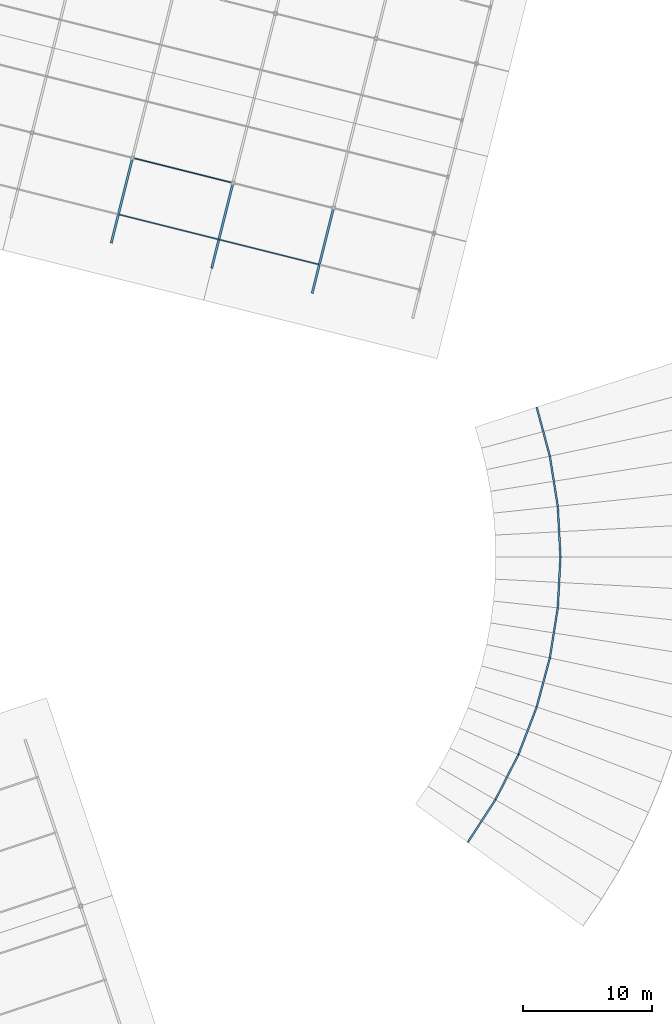
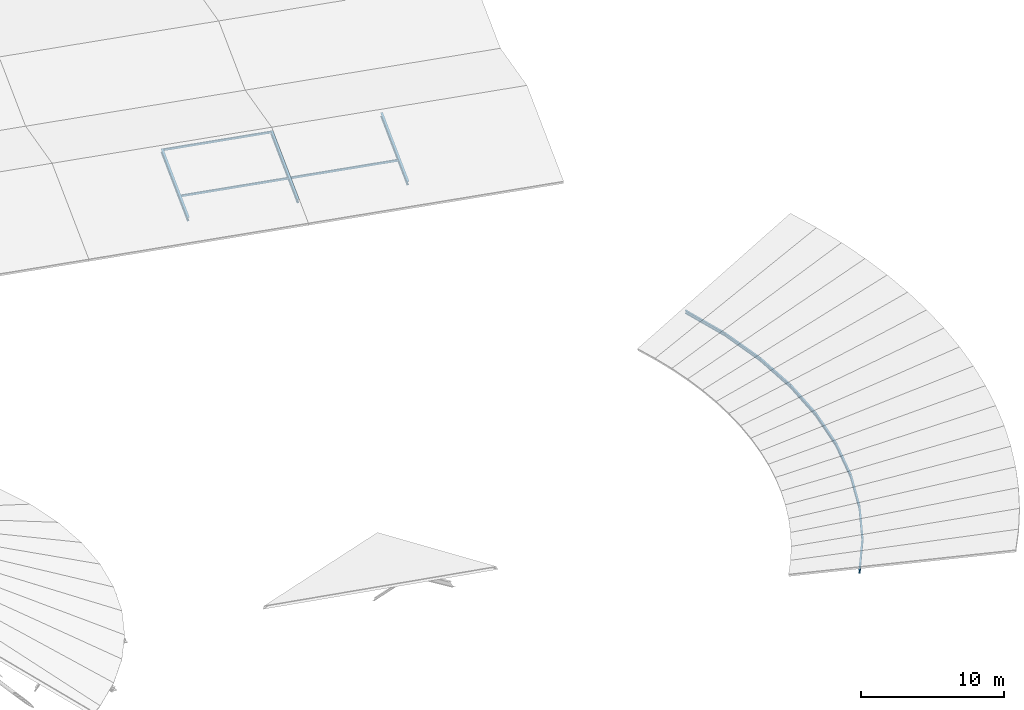
# One storey, part 61 of 107: 15 members.
"""IFC4 building model written with IfcOpenShell, lengths in metres."""

from ifc_helpers import new_model, si_unit, derived_unit, direction, frame, origin, origin_2d, place, context, subcontext, project, spatial, hollow_rectangle, i_section, extrude, material, material_profile, profile_set, type_object, element, save


model = new_model("IFC4")

# Units and contexts
model_context = context("Model", 3, precision=1e-05, world=origin(), true_north=direction((0.0, 1.0)))
body_context = subcontext(model_context, "Body", "Model", "MODEL_VIEW")
ifc_project = project(units=[si_unit("LENGTHUNIT", "METRE"), si_unit("AREAUNIT", "SQUARE_METRE"), si_unit("VOLUMEUNIT", "CUBIC_METRE"), si_unit("PLANEANGLEUNIT", "RADIAN"), si_unit("MASSUNIT", "GRAM", prefix="KILO"), si_unit("THERMODYNAMICTEMPERATUREUNIT", "KELVIN"), si_unit("TIMEUNIT", "SECOND"), derived_unit("THERMALTRANSMITTANCEUNIT", [(si_unit("MASSUNIT", "GRAM", prefix="KILO"), 1), (si_unit("THERMODYNAMICTEMPERATUREUNIT", "KELVIN"), -1), (si_unit("TIMEUNIT", "SECOND"), -3)])], contexts=[model_context])

# Site, building, storey
site_placement = place(None, origin())
site = spatial("IfcSite", under=ifc_project, at=site_placement, CompositionType="ELEMENT")
building_placement = place(site_placement, origin())
building = spatial("IfcBuilding", under=site, at=building_placement, Name="Cambertide Market Hall", CompositionType="ELEMENT")
storey_placement = place(building_placement, frame((0.0, 0.0, 18.300048828125)))
storey = spatial("IfcBuildingStorey", under=building, at=storey_placement, Name="RF", CompositionType="ELEMENT", Elevation=18.300048828125)

# Members
ifc_material_1 = material(Name="Steel S275", Category="steel")
ifc_material_profile_1 = material_profile(ifc_material_1, i_section(OverallWidth=0.135009765625, OverallDepth=0.27001953125, WebThickness=0.006591796875, FlangeThickness=0.01025390625, FilletRadius=0.014892578125, at=origin_2d()), Name="IPE 270")
ifc_profile_set_1 = profile_set([ifc_material_profile_1], Name="Steel S275")
member_type_1 = type_object("IfcMemberType", Name="Exterior Roof Purlin IPE 270", PredefinedType="PURLIN", material=ifc_profile_set_1)
member_1_placement = place(storey_placement, frame((174.338134765625, 43.9580078125, -12.0400390625), z_axis=(0.54465600938, 0.83865954442, 0.0), x_axis=(-0.83865954442, 0.54465600938, 0.0)))
element("IfcMember", 1, at=member_1_placement, inside=storey, type_object=member_type_1, Name="PUR-V5-01", PredefinedType="PURLIN", context=body_context, shape_type="SweptSolid", body=[
    extrude(i_section(OverallWidth=0.135009765625, OverallDepth=0.27001953125, WebThickness=0.006591796875, FlangeThickness=0.01025390625, FilletRadius=0.014892578125, at=origin_2d()), origin(), (0.0, 0.0, 1.0), 3.92529296875),
])
member_2_placement = place(storey_placement, frame((176.47607421875, 47.25, -12.0400390625), z_axis=(0.453992866797, 0.891005318108, 0.0), x_axis=(-0.891005318108, 0.453992866797, 0.0)))
element("IfcMember", 2, at=member_2_placement, inside=storey, type_object=member_type_1, Name="PUR-V5-02", PredefinedType="PURLIN", context=body_context, shape_type="SweptSolid", body=[
    extrude(i_section(OverallWidth=0.135009765625, OverallDepth=0.27001953125, WebThickness=0.006591796875, FlangeThickness=0.01025390625, FilletRadius=0.014892578125, at=origin_2d()), origin(), (0.0, 0.0, 1.0), 3.925048828125),
])
for number, where, z_axis, x_axis, name in (
    (3, (178.258056640625, 50.747314453125, -12.0400390625), (0.358324626093, 0.933597055659, 0.0), (-0.933597055659, 0.358324626093, 0.0), "PUR-V5-03"),
    (4, (179.66455078125, 54.411865234375, -12.0400390625), (0.25880448165, 0.965929728437, 0.0), (-0.965929728437, 0.25880448165, 0.0), "PUR-V5-04"),
):
    element("IfcMember", number, at=place(storey_placement, frame(where, z_axis=z_axis, x_axis=x_axis)), inside=storey, type_object=member_type_1, Name=name, PredefinedType="PURLIN", context=body_context, shape_type="SweptSolid", body=[
        extrude(i_section(OverallWidth=0.135009765625, OverallDepth=0.27001953125, WebThickness=0.006591796875, FlangeThickness=0.01025390625, FilletRadius=0.014892578125, at=origin_2d()), origin(), (0.0, 0.0, 1.0), 3.92529296875),
    ])
member_3_placement = place(storey_placement, frame((180.680419921875, 58.203369140625, -12.0400390625), z_axis=(0.156495960351, 0.987678598732, 0.0), x_axis=(-0.987678598732, 0.156495960351, 0.0)))
element("IfcMember", 5, at=member_3_placement, inside=storey, type_object=member_type_1, Name="PUR-V5-05", PredefinedType="PURLIN", context=body_context, shape_type="SweptSolid", body=[
    extrude(i_section(OverallWidth=0.135009765625, OverallDepth=0.27001953125, WebThickness=0.006591796875, FlangeThickness=0.01025390625, FilletRadius=0.014892578125, at=origin_2d()), origin(), (0.0, 0.0, 1.0), 3.925048828125),
])
for number, where, z_axis, x_axis, name in (
    (6, (181.294677734375, 62.080078125, -12.0400390625), (0.052307467242, 0.998631027392, 0.0), (-0.998631027392, 0.052307467242, 0.0), "PUR-V5-06"),
    (7, (181.5, 66.0, -12.0400390625), (-0.052307467242, 0.998631027392, 0.0), (-0.998631027392, -0.052307467242, 0.0), "PUR-V5-07"),
):
    element("IfcMember", number, at=place(storey_placement, frame(where, z_axis=z_axis, x_axis=x_axis)), inside=storey, type_object=member_type_1, Name=name, PredefinedType="PURLIN", context=body_context, shape_type="SweptSolid", body=[
        extrude(i_section(OverallWidth=0.135009765625, OverallDepth=0.27001953125, WebThickness=0.006591796875, FlangeThickness=0.01025390625, FilletRadius=0.014892578125, at=origin_2d()), origin(), (0.0, 0.0, 1.0), 3.92529296875),
    ])
member_4_placement = place(storey_placement, frame((181.294677734375, 69.919921875, -12.0400390625), z_axis=(-0.156495960351, 0.987678598732, 0.0), x_axis=(-0.987678598732, -0.156495960351, 0.0)))
element("IfcMember", 8, at=member_4_placement, inside=storey, type_object=member_type_1, Name="PUR-V5-08", PredefinedType="PURLIN", context=body_context, shape_type="SweptSolid", body=[
    extrude(i_section(OverallWidth=0.135009765625, OverallDepth=0.27001953125, WebThickness=0.006591796875, FlangeThickness=0.01025390625, FilletRadius=0.014892578125, at=origin_2d()), origin(), (0.0, 0.0, 1.0), 3.925048828125),
])
member_5_placement = place(storey_placement, frame((180.680419921875, 73.796630859375, -12.0400390625), z_axis=(-0.25880448165, 0.965929728437, 0.0), x_axis=(-0.965929728437, -0.25880448165, 0.0)))
element("IfcMember", 9, at=member_5_placement, inside=storey, type_object=member_type_1, Name="PUR-V5-09", PredefinedType="PURLIN", context=body_context, shape_type="SweptSolid", body=[
    extrude(i_section(OverallWidth=0.135009765625, OverallDepth=0.27001953125, WebThickness=0.006591796875, FlangeThickness=0.01025390625, FilletRadius=0.014892578125, at=origin_2d()), origin(), (0.0, 0.0, 1.0), 3.92529296875),
])
ifc_material_2 = material(Name="Steel S355", Category="steel")
ifc_material_profile_2 = material_profile(ifc_material_2, i_section(OverallWidth=0.169921875, OverallDepth=0.360107421875, WebThickness=0.008056640625, FlangeThickness=0.0126953125, FilletRadius=0.01806640625, at=origin_2d()), Name="IPE 360")
ifc_profile_set_2 = profile_set([ifc_material_profile_2], Name="Steel S355")
member_type_2 = type_object("IfcMemberType", Name="Radial Fan Rafter IPE 360", PredefinedType="RAFTER", material=ifc_profile_set_2)
for number, where, z_axis, x_axis, name in (
    (10, (146.8056640625, 90.298583984375, -0.3701171875), (0.2376832779, 0.950662224848, 0.199368988695), (-0.970138244761, 0.242552645939, 0.0), "RAF-V4-6-1"),
    (11, (154.56689453125, 88.3583984375, -0.3701171875), (0.237649836416, 0.950670233014, 0.199370668135), (-0.970146755268, 0.24251860391, 0.0), "RAF-V4-7-1"),
):
    element("IfcMember", number, at=place(storey_placement, frame(where, z_axis=z_axis, x_axis=x_axis)), inside=storey, type_object=member_type_2, Name=name, PredefinedType="RAFTER", context=body_context, shape_type="SweptSolid", body=[
        extrude(i_section(OverallWidth=0.169921875, OverallDepth=0.360107421875, WebThickness=0.008056640625, FlangeThickness=0.0126953125, FilletRadius=0.01806640625, at=origin_2d()), origin(), (0.0, 0.0, 1.0), 6.88818359375),
    ])
member_6_placement = place(storey_placement, frame((162.327880859375, 86.41796875, -0.3701171875), z_axis=(0.237675269494, 0.950665635794, 0.199362271235), x_axis=(-0.970140372565, 0.242544135198, 0.0)))
element("IfcMember", 12, at=member_6_placement, inside=storey, type_object=member_type_2, Name="RAF-V4-8-1", PredefinedType="RAFTER", context=body_context, shape_type="SweptSolid", body=[
    extrude(i_section(OverallWidth=0.169921875, OverallDepth=0.360107421875, WebThickness=0.008056640625, FlangeThickness=0.0126953125, FilletRadius=0.01806640625, at=origin_2d()), origin(), (0.0, 0.0, 1.0), 6.888427734375),
])
ifc_material_3 = material(Name="Steel S275", Category="steel")
ifc_material_profile_3 = material_profile(ifc_material_3, hollow_rectangle(XDim=0.10009765625, YDim=0.179931640625, WallThickness=0.00634765625, InnerFilletRadius=0.00634765625, OuterFilletRadius=0.0126953125, at=origin_2d()), Name="RHS 180x100x6.3")
ifc_profile_set_3 = profile_set([ifc_material_profile_3], Name="Steel S275")
member_type_3 = type_object("IfcMemberType", Name="Roof Purlin RHS 180x100x6.3", PredefinedType="PURLIN", material=ifc_profile_set_3)
member_7_placement = place(storey_placement, frame((147.351318359375, 92.4814453125, 0.11767578125), z_axis=(0.970138909791, -0.242549986002, 0.0), x_axis=(0.242549986002, 0.970138909791, 0.0)))
element("IfcMember", 13, at=member_7_placement, inside=storey, type_object=member_type_3, Name="PUR-V4-6-22", PredefinedType="PURLIN", context=body_context, shape_type="SweptSolid", body=[
    extrude(hollow_rectangle(XDim=0.10009765625, YDim=0.179931640625, WallThickness=0.00634765625, InnerFilletRadius=0.00634765625, OuterFilletRadius=0.0126953125, at=origin_2d()), origin(), (0.0, 0.0, 1.0), 8.000244140625),
])
member_8_placement = place(storey_placement, frame((148.44287109375, 96.846923828125, 1.033203125), z_axis=(0.970144295309, -0.242528444268, 0.0), x_axis=(0.242528444268, 0.970144295309, 0.0)))
element("IfcMember", 14, at=member_8_placement, inside=storey, type_object=member_type_3, Name="PUR-V4-6-67", PredefinedType="PURLIN", context=body_context, shape_type="SweptSolid", body=[
    extrude(hollow_rectangle(XDim=0.10009765625, YDim=0.179931640625, WallThickness=0.00634765625, InnerFilletRadius=0.00634765625, OuterFilletRadius=0.0126953125, at=origin_2d()), origin(), (0.0, 0.0, 1.0), 7.999755859375),
])
member_9_placement = place(storey_placement, frame((155.112548828125, 90.541015625, 0.11767578125), z_axis=(0.970146090314, -0.242521263911, 0.0), x_axis=(0.242521263911, 0.970146090314, 0.0)))
element("IfcMember", 15, at=member_9_placement, inside=storey, type_object=member_type_3, Name="PUR-V4-7-22", PredefinedType="PURLIN", context=body_context, shape_type="SweptSolid", body=[
    extrude(hollow_rectangle(XDim=0.10009765625, YDim=0.179931640625, WallThickness=0.00634765625, InnerFilletRadius=0.00634765625, OuterFilletRadius=0.0126953125, at=origin_2d()), origin(), (0.0, 0.0, 1.0), 8.0),
])

save(model, "model.ifc")
